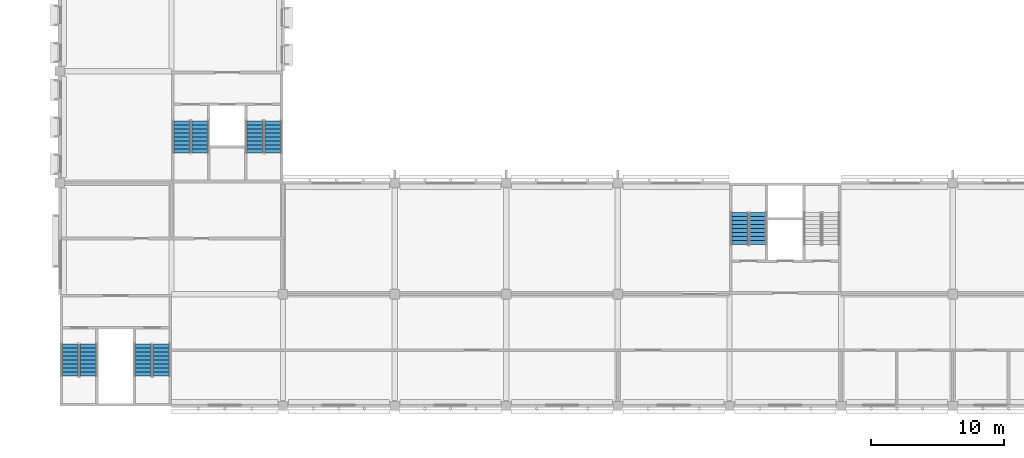
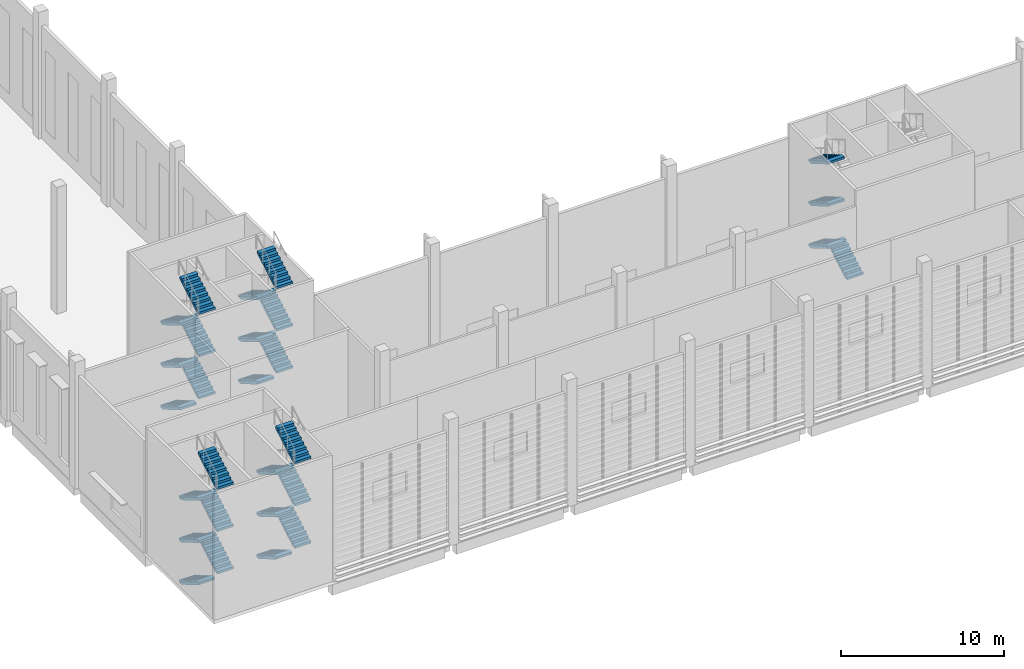
# One storey, part 53 of 114: 28 stair flights, 5 elements without a shape of their own.
"""IFC4 building model written with IfcOpenShell, lengths in metres."""

from ifc_helpers import new_model, si_unit, direction, frame, origin, place, context, subcontext, project, spatial, polyline, outline, extrude, material, type_object, element, aggregate, save


model = new_model("IFC4")

# Units and contexts
model_context = context("Model", 3, precision=1e-05, world=origin(), true_north=direction((0.0, 1.0)))
body_context = subcontext(model_context, "Body", "Model", "MODEL_VIEW")
ifc_project = project(units=[si_unit("LENGTHUNIT", "METRE"), si_unit("AREAUNIT", "SQUARE_METRE"), si_unit("VOLUMEUNIT", "CUBIC_METRE"), si_unit("PLANEANGLEUNIT", "RADIAN"), si_unit("MASSUNIT", "GRAM", prefix="KILO")], contexts=[model_context])

# Site, building, storey
site_placement = place(None, origin())
site = spatial("IfcSite", under=ifc_project, at=site_placement, CompositionType="ELEMENT")
building_placement = place(site_placement, origin())
building = spatial("IfcBuilding", under=site, at=building_placement, Name="Almond Square Museum", CompositionType="ELEMENT")
storey_placement = place(building_placement, frame((0.0, 0.0, 10.5)))
storey = spatial("IfcBuildingStorey", under=building, at=storey_placement, Name="L02", CompositionType="ELEMENT", Elevation=10.5)

# Stair, stair flights
ifc_material_1 = material(Name="Concrete C40/50", Category="concrete")
stair_type = type_object("IfcStairType", Name="Exit stair 54 risers of 176 mm", PredefinedType="HALF_TURN_STAIR", material=ifc_material_1)
stair_1_placement = place(storey_placement, origin())
stair_1 = element("IfcStair", 1, at=stair_1_placement, inside=storey, type_object=stair_type, Name="L02 stair W1-1", PredefinedType="HALF_TURN_STAIR")
ifc_material_2 = material(Name="Concrete C40/50", Category="concrete")
stair_flight_type = type_object("IfcStairFlightType", Name="Concrete flight", PredefinedType="STRAIGHT", material=ifc_material_2)
stair_flight_1_placement = place(storey_placement, frame((15.175048828125, 21.449951171875, 0.0), z_axis=(0.0, 0.0, 1.0), x_axis=(0.0, -1.0, 0.0)))
stair_flight_1 = element("IfcStairFlight", 2, at=stair_flight_1_placement, type_object=stair_flight_type, Name="ST-21 flight 1", NumberOfRisers=9, NumberOfTreads=8, PredefinedType="STRAIGHT", RiserHeight=0.175925926, TreadLength=0.3, context=body_context, shape_type="SweptSolid", body=[
    extrude(outline(polyline([(0.0, 0.0), (0.0, 0.176025390625), (0.300048828125, 0.176025390625), (0.300048828125, 0.351806640625), (0.60009765625, 0.351806640625), (0.60009765625, 0.52783203125), (0.89990234375, 0.52783203125), (0.89990234375, 0.70361328125), (1.199951171875, 0.70361328125), (1.199951171875, 0.879638671875), (1.5, 0.879638671875), (1.5, 1.0556640625), (1.800048828125, 1.0556640625), (1.800048828125, 1.2314453125), (2.10009765625, 1.2314453125), (2.10009765625, 1.407470703125), (2.39990234375, 1.407470703125), (2.39990234375, 1.583251953125), (2.39990234375, 1.233642578125), (0.29638671875, 0.0), (0.0, 0.0)])), frame((0.0, 0.574951171875, 0.0), z_axis=(0.0, -1.0, 0.0), x_axis=(1.0, 0.0, 0.0)), (0.0, 0.0, 1.0), 1.14990234375),
])
stair_flight_2_placement = place(storey_placement, frame((16.52490234375, 19.050048828125, 1.583251953125), z_axis=(0.0, 0.0, 1.0), x_axis=(0.0, 1.0, 0.0)))
stair_flight_2 = element("IfcStairFlight", 3, at=stair_flight_2_placement, type_object=stair_flight_type, Name="ST-21 flight 2", NumberOfRisers=9, NumberOfTreads=8, PredefinedType="STRAIGHT", RiserHeight=0.175925926, TreadLength=0.3, context=body_context, shape_type="SweptSolid", body=[
    extrude(outline(polyline([(0.0, 0.0), (0.0, 0.176025390625), (0.300048828125, 0.176025390625), (0.300048828125, 0.351806640625), (0.60009765625, 0.351806640625), (0.60009765625, 0.52783203125), (0.89990234375, 0.52783203125), (0.89990234375, 0.70361328125), (1.199951171875, 0.70361328125), (1.199951171875, 0.879638671875), (1.5, 0.879638671875), (1.5, 1.0556640625), (1.800048828125, 1.0556640625), (1.800048828125, 1.2314453125), (2.10009765625, 1.2314453125), (2.10009765625, 1.407470703125), (2.39990234375, 1.407470703125), (2.39990234375, 1.583251953125), (2.39990234375, 1.233642578125), (0.29638671875, 0.0), (0.0, 0.0)])), frame((0.0, 0.574951171875, 0.0), z_axis=(0.0, -1.0, 0.0), x_axis=(1.0, 0.0, 0.0)), (0.0, 0.0, 1.0), 1.14990234375),
])
stair_flight_3_placement = place(storey_placement, frame((15.175048828125, 21.449951171875, 3.166748046875), z_axis=(0.0, 0.0, 1.0), x_axis=(0.0, -1.0, 0.0)))
stair_flight_3 = element("IfcStairFlight", 4, at=stair_flight_3_placement, type_object=stair_flight_type, Name="ST-21 flight 3", NumberOfRisers=9, NumberOfTreads=8, PredefinedType="STRAIGHT", RiserHeight=0.175925926, TreadLength=0.3, context=body_context, shape_type="SweptSolid", body=[
    extrude(outline(polyline([(0.0, 0.0), (0.0, 0.176025390625), (0.300048828125, 0.176025390625), (0.300048828125, 0.351806640625), (0.60009765625, 0.351806640625), (0.60009765625, 0.52783203125), (0.89990234375, 0.52783203125), (0.89990234375, 0.70361328125), (1.199951171875, 0.70361328125), (1.199951171875, 0.879638671875), (1.5, 0.879638671875), (1.5, 1.0556640625), (1.800048828125, 1.0556640625), (1.800048828125, 1.2314453125), (2.10009765625, 1.2314453125), (2.10009765625, 1.407470703125), (2.39990234375, 1.407470703125), (2.39990234375, 1.583251953125), (2.39990234375, 1.233642578125), (0.29638671875, 0.0), (0.0, 0.0)])), frame((0.0, 0.574951171875, 0.0), z_axis=(0.0, -1.0, 0.0), x_axis=(1.0, 0.0, 0.0)), (0.0, 0.0, 1.0), 1.14990234375),
])
stair_flight_4_placement = place(storey_placement, frame((16.52490234375, 19.050048828125, 4.75), z_axis=(0.0, 0.0, 1.0), x_axis=(0.0, 1.0, 0.0)))
stair_flight_4 = element("IfcStairFlight", 5, at=stair_flight_4_placement, type_object=stair_flight_type, Name="ST-21 flight 4", NumberOfRisers=9, NumberOfTreads=8, PredefinedType="STRAIGHT", RiserHeight=0.175925926, TreadLength=0.3, context=body_context, shape_type="SweptSolid", body=[
    extrude(outline(polyline([(0.0, 0.0), (0.0, 0.176025390625), (0.300048828125, 0.176025390625), (0.300048828125, 0.351806640625), (0.60009765625, 0.351806640625), (0.60009765625, 0.52783203125), (0.89990234375, 0.52783203125), (0.89990234375, 0.70361328125), (1.199951171875, 0.70361328125), (1.199951171875, 0.879638671875), (1.5, 0.879638671875), (1.5, 1.0556640625), (1.800048828125, 1.0556640625), (1.800048828125, 1.2314453125), (2.10009765625, 1.2314453125), (2.10009765625, 1.407470703125), (2.39990234375, 1.407470703125), (2.39990234375, 1.583251953125), (2.39990234375, 1.233642578125), (0.29638671875, 0.0), (0.0, 0.0)])), frame((0.0, 0.574951171875, 0.0), z_axis=(0.0, -1.0, 0.0), x_axis=(1.0, 0.0, 0.0)), (0.0, 0.0, 1.0), 1.14990234375),
])
stair_flight_5_placement = place(storey_placement, frame((15.175048828125, 21.449951171875, 6.333251953125), z_axis=(0.0, 0.0, 1.0), x_axis=(0.0, -1.0, 0.0)))
stair_flight_5 = element("IfcStairFlight", 6, at=stair_flight_5_placement, type_object=stair_flight_type, Name="ST-21 flight 5", NumberOfRisers=9, NumberOfTreads=8, PredefinedType="STRAIGHT", RiserHeight=0.175925926, TreadLength=0.3, context=body_context, shape_type="SweptSolid", body=[
    extrude(outline(polyline([(0.0, 0.0), (0.0, 0.176025390625), (0.300048828125, 0.176025390625), (0.300048828125, 0.351806640625), (0.60009765625, 0.351806640625), (0.60009765625, 0.52783203125), (0.89990234375, 0.52783203125), (0.89990234375, 0.70361328125), (1.199951171875, 0.70361328125), (1.199951171875, 0.879638671875), (1.5, 0.879638671875), (1.5, 1.0556640625), (1.800048828125, 1.0556640625), (1.800048828125, 1.2314453125), (2.10009765625, 1.2314453125), (2.10009765625, 1.407470703125), (2.39990234375, 1.407470703125), (2.39990234375, 1.583251953125), (2.39990234375, 1.233642578125), (0.29638671875, 0.0), (0.0, 0.0)])), frame((0.0, 0.574951171875, 0.0), z_axis=(0.0, -1.0, 0.0), x_axis=(1.0, 0.0, 0.0)), (0.0, 0.0, 1.0), 1.14990234375),
])
stair_flight_6_placement = place(storey_placement, frame((16.52490234375, 19.050048828125, 7.916748046875), z_axis=(0.0, 0.0, 1.0), x_axis=(0.0, 1.0, 0.0)))
stair_flight_6 = element("IfcStairFlight", 7, at=stair_flight_6_placement, type_object=stair_flight_type, Name="ST-21 flight 6", NumberOfRisers=9, NumberOfTreads=8, PredefinedType="STRAIGHT", RiserHeight=0.175925926, TreadLength=0.3, context=body_context, shape_type="SweptSolid", body=[
    extrude(outline(polyline([(0.0, 0.0), (0.0, 0.176025390625), (0.300048828125, 0.176025390625), (0.300048828125, 0.351806640625), (0.60009765625, 0.351806640625), (0.60009765625, 0.52783203125), (0.89990234375, 0.52783203125), (0.89990234375, 0.70361328125), (1.199951171875, 0.70361328125), (1.199951171875, 0.879638671875), (1.5, 0.879638671875), (1.5, 1.0556640625), (1.800048828125, 1.0556640625), (1.800048828125, 1.2314453125), (2.10009765625, 1.2314453125), (2.10009765625, 1.407470703125), (2.39990234375, 1.407470703125), (2.39990234375, 1.583251953125), (2.39990234375, 1.233642578125), (0.29638671875, 0.0), (0.0, 0.0)])), frame((0.0, 0.574951171875, 0.0), z_axis=(0.0, -1.0, 0.0), x_axis=(1.0, 0.0, 0.0)), (0.0, 0.0, 1.0), 1.14990234375),
])
aggregate(stair_1, [stair_flight_1, stair_flight_2, stair_flight_3, stair_flight_4, stair_flight_5, stair_flight_6])

stair_2_placement = place(storey_placement, origin())
stair_2 = element("IfcStair", 8, at=stair_2_placement, inside=storey, type_object=stair_type, Name="L02 stair W1-2", PredefinedType="HALF_TURN_STAIR")
stair_flight_7_placement = place(storey_placement, frame((20.675048828125, 21.449951171875, 0.0), z_axis=(0.0, 0.0, 1.0), x_axis=(0.0, -1.0, 0.0)))
stair_flight_7 = element("IfcStairFlight", 9, at=stair_flight_7_placement, type_object=stair_flight_type, Name="ST-22 flight 1", NumberOfRisers=9, NumberOfTreads=8, PredefinedType="STRAIGHT", RiserHeight=0.175925926, TreadLength=0.3, context=body_context, shape_type="SweptSolid", body=[
    extrude(outline(polyline([(0.0, 0.0), (0.0, 0.176025390625), (0.300048828125, 0.176025390625), (0.300048828125, 0.351806640625), (0.60009765625, 0.351806640625), (0.60009765625, 0.52783203125), (0.89990234375, 0.52783203125), (0.89990234375, 0.70361328125), (1.199951171875, 0.70361328125), (1.199951171875, 0.879638671875), (1.5, 0.879638671875), (1.5, 1.0556640625), (1.800048828125, 1.0556640625), (1.800048828125, 1.2314453125), (2.10009765625, 1.2314453125), (2.10009765625, 1.407470703125), (2.39990234375, 1.407470703125), (2.39990234375, 1.583251953125), (2.39990234375, 1.233642578125), (0.29638671875, 0.0), (0.0, 0.0)])), frame((0.0, 0.574951171875, 0.0), z_axis=(0.0, -1.0, 0.0), x_axis=(1.0, 0.0, 0.0)), (0.0, 0.0, 1.0), 1.14990234375),
])
stair_flight_8_placement = place(storey_placement, frame((22.02490234375, 19.050048828125, 1.583251953125), z_axis=(0.0, 0.0, 1.0), x_axis=(0.0, 1.0, 0.0)))
stair_flight_8 = element("IfcStairFlight", 10, at=stair_flight_8_placement, type_object=stair_flight_type, Name="ST-22 flight 2", NumberOfRisers=9, NumberOfTreads=8, PredefinedType="STRAIGHT", RiserHeight=0.175925926, TreadLength=0.3, context=body_context, shape_type="SweptSolid", body=[
    extrude(outline(polyline([(0.0, 0.0), (0.0, 0.176025390625), (0.300048828125, 0.176025390625), (0.300048828125, 0.351806640625), (0.60009765625, 0.351806640625), (0.60009765625, 0.52783203125), (0.89990234375, 0.52783203125), (0.89990234375, 0.70361328125), (1.199951171875, 0.70361328125), (1.199951171875, 0.879638671875), (1.5, 0.879638671875), (1.5, 1.0556640625), (1.800048828125, 1.0556640625), (1.800048828125, 1.2314453125), (2.10009765625, 1.2314453125), (2.10009765625, 1.407470703125), (2.39990234375, 1.407470703125), (2.39990234375, 1.583251953125), (2.39990234375, 1.233642578125), (0.29638671875, 0.0), (0.0, 0.0)])), frame((0.0, 0.574951171875, 0.0), z_axis=(0.0, -1.0, 0.0), x_axis=(1.0, 0.0, 0.0)), (0.0, 0.0, 1.0), 1.14990234375),
])
stair_flight_9_placement = place(storey_placement, frame((20.675048828125, 21.449951171875, 3.166748046875), z_axis=(0.0, 0.0, 1.0), x_axis=(0.0, -1.0, 0.0)))
stair_flight_9 = element("IfcStairFlight", 11, at=stair_flight_9_placement, type_object=stair_flight_type, Name="ST-22 flight 3", NumberOfRisers=9, NumberOfTreads=8, PredefinedType="STRAIGHT", RiserHeight=0.175925926, TreadLength=0.3, context=body_context, shape_type="SweptSolid", body=[
    extrude(outline(polyline([(0.0, 0.0), (0.0, 0.176025390625), (0.300048828125, 0.176025390625), (0.300048828125, 0.351806640625), (0.60009765625, 0.351806640625), (0.60009765625, 0.52783203125), (0.89990234375, 0.52783203125), (0.89990234375, 0.70361328125), (1.199951171875, 0.70361328125), (1.199951171875, 0.879638671875), (1.5, 0.879638671875), (1.5, 1.0556640625), (1.800048828125, 1.0556640625), (1.800048828125, 1.2314453125), (2.10009765625, 1.2314453125), (2.10009765625, 1.407470703125), (2.39990234375, 1.407470703125), (2.39990234375, 1.583251953125), (2.39990234375, 1.233642578125), (0.29638671875, 0.0), (0.0, 0.0)])), frame((0.0, 0.574951171875, 0.0), z_axis=(0.0, -1.0, 0.0), x_axis=(1.0, 0.0, 0.0)), (0.0, 0.0, 1.0), 1.14990234375),
])
stair_flight_10_placement = place(storey_placement, frame((22.02490234375, 19.050048828125, 4.75), z_axis=(0.0, 0.0, 1.0), x_axis=(0.0, 1.0, 0.0)))
stair_flight_10 = element("IfcStairFlight", 12, at=stair_flight_10_placement, type_object=stair_flight_type, Name="ST-22 flight 4", NumberOfRisers=9, NumberOfTreads=8, PredefinedType="STRAIGHT", RiserHeight=0.175925926, TreadLength=0.3, context=body_context, shape_type="SweptSolid", body=[
    extrude(outline(polyline([(0.0, 0.0), (0.0, 0.176025390625), (0.300048828125, 0.176025390625), (0.300048828125, 0.351806640625), (0.60009765625, 0.351806640625), (0.60009765625, 0.52783203125), (0.89990234375, 0.52783203125), (0.89990234375, 0.70361328125), (1.199951171875, 0.70361328125), (1.199951171875, 0.879638671875), (1.5, 0.879638671875), (1.5, 1.0556640625), (1.800048828125, 1.0556640625), (1.800048828125, 1.2314453125), (2.10009765625, 1.2314453125), (2.10009765625, 1.407470703125), (2.39990234375, 1.407470703125), (2.39990234375, 1.583251953125), (2.39990234375, 1.233642578125), (0.29638671875, 0.0), (0.0, 0.0)])), frame((0.0, 0.574951171875, 0.0), z_axis=(0.0, -1.0, 0.0), x_axis=(1.0, 0.0, 0.0)), (0.0, 0.0, 1.0), 1.14990234375),
])
stair_flight_11_placement = place(storey_placement, frame((20.675048828125, 21.449951171875, 6.333251953125), z_axis=(0.0, 0.0, 1.0), x_axis=(0.0, -1.0, 0.0)))
stair_flight_11 = element("IfcStairFlight", 13, at=stair_flight_11_placement, type_object=stair_flight_type, Name="ST-22 flight 5", NumberOfRisers=9, NumberOfTreads=8, PredefinedType="STRAIGHT", RiserHeight=0.175925926, TreadLength=0.3, context=body_context, shape_type="SweptSolid", body=[
    extrude(outline(polyline([(0.0, 0.0), (0.0, 0.176025390625), (0.300048828125, 0.176025390625), (0.300048828125, 0.351806640625), (0.60009765625, 0.351806640625), (0.60009765625, 0.52783203125), (0.89990234375, 0.52783203125), (0.89990234375, 0.70361328125), (1.199951171875, 0.70361328125), (1.199951171875, 0.879638671875), (1.5, 0.879638671875), (1.5, 1.0556640625), (1.800048828125, 1.0556640625), (1.800048828125, 1.2314453125), (2.10009765625, 1.2314453125), (2.10009765625, 1.407470703125), (2.39990234375, 1.407470703125), (2.39990234375, 1.583251953125), (2.39990234375, 1.233642578125), (0.29638671875, 0.0), (0.0, 0.0)])), frame((0.0, 0.574951171875, 0.0), z_axis=(0.0, -1.0, 0.0), x_axis=(1.0, 0.0, 0.0)), (0.0, 0.0, 1.0), 1.14990234375),
])
stair_flight_12_placement = place(storey_placement, frame((22.02490234375, 19.050048828125, 7.916748046875), z_axis=(0.0, 0.0, 1.0), x_axis=(0.0, 1.0, 0.0)))
stair_flight_12 = element("IfcStairFlight", 14, at=stair_flight_12_placement, type_object=stair_flight_type, Name="ST-22 flight 6", NumberOfRisers=9, NumberOfTreads=8, PredefinedType="STRAIGHT", RiserHeight=0.175925926, TreadLength=0.3, context=body_context, shape_type="SweptSolid", body=[
    extrude(outline(polyline([(0.0, 0.0), (0.0, 0.176025390625), (0.300048828125, 0.176025390625), (0.300048828125, 0.351806640625), (0.60009765625, 0.351806640625), (0.60009765625, 0.52783203125), (0.89990234375, 0.52783203125), (0.89990234375, 0.70361328125), (1.199951171875, 0.70361328125), (1.199951171875, 0.879638671875), (1.5, 0.879638671875), (1.5, 1.0556640625), (1.800048828125, 1.0556640625), (1.800048828125, 1.2314453125), (2.10009765625, 1.2314453125), (2.10009765625, 1.407470703125), (2.39990234375, 1.407470703125), (2.39990234375, 1.583251953125), (2.39990234375, 1.233642578125), (0.29638671875, 0.0), (0.0, 0.0)])), frame((0.0, 0.574951171875, 0.0), z_axis=(0.0, -1.0, 0.0), x_axis=(1.0, 0.0, 0.0)), (0.0, 0.0, 1.0), 1.14990234375),
])
aggregate(stair_2, [stair_flight_7, stair_flight_8, stair_flight_9, stair_flight_10, stair_flight_11, stair_flight_12])

stair_3_placement = place(storey_placement, origin())
stair_3 = element("IfcStair", 15, at=stair_3_placement, inside=storey, type_object=stair_type, Name="L02 stair S1-1", PredefinedType="HALF_TURN_STAIR")
stair_flight_13_placement = place(storey_placement, frame((6.77490234375, 4.64990234375, 0.0), z_axis=(0.0, 0.0, 1.0), x_axis=(0.0, -1.0, 0.0)))
stair_flight_13 = element("IfcStairFlight", 16, at=stair_flight_13_placement, type_object=stair_flight_type, Name="ST-27 flight 1", NumberOfRisers=9, NumberOfTreads=8, PredefinedType="STRAIGHT", RiserHeight=0.175925926, TreadLength=0.3, context=body_context, shape_type="SweptSolid", body=[
    extrude(outline(polyline([(0.0, 0.0), (0.0, 0.176025390625), (0.300048828125, 0.176025390625), (0.300048828125, 0.351806640625), (0.60009765625, 0.351806640625), (0.60009765625, 0.52783203125), (0.89990234375, 0.52783203125), (0.89990234375, 0.70361328125), (1.199951171875, 0.70361328125), (1.199951171875, 0.879638671875), (1.5, 0.879638671875), (1.5, 1.0556640625), (1.800048828125, 1.0556640625), (1.800048828125, 1.2314453125), (2.10009765625, 1.2314453125), (2.10009765625, 1.407470703125), (2.39990234375, 1.407470703125), (2.39990234375, 1.583251953125), (2.39990234375, 1.233642578125), (0.29638671875, 0.0), (0.0, 0.0)])), frame((0.0, 0.574951171875, 0.0), z_axis=(0.0, -1.0, 0.0), x_axis=(1.0, 0.0, 0.0)), (0.0, 0.0, 1.0), 1.14990234375),
])
stair_flight_14_placement = place(storey_placement, frame((8.125, 2.25, 1.583251953125), z_axis=(0.0, 0.0, 1.0), x_axis=(0.0, 1.0, 0.0)))
stair_flight_14 = element("IfcStairFlight", 17, at=stair_flight_14_placement, type_object=stair_flight_type, Name="ST-27 flight 2", NumberOfRisers=9, NumberOfTreads=8, PredefinedType="STRAIGHT", RiserHeight=0.175925926, TreadLength=0.3, context=body_context, shape_type="SweptSolid", body=[
    extrude(outline(polyline([(0.0, 0.0), (0.0, 0.176025390625), (0.300048828125, 0.176025390625), (0.300048828125, 0.351806640625), (0.60009765625, 0.351806640625), (0.60009765625, 0.52783203125), (0.89990234375, 0.52783203125), (0.89990234375, 0.70361328125), (1.199951171875, 0.70361328125), (1.199951171875, 0.879638671875), (1.5, 0.879638671875), (1.5, 1.0556640625), (1.800048828125, 1.0556640625), (1.800048828125, 1.2314453125), (2.10009765625, 1.2314453125), (2.10009765625, 1.407470703125), (2.39990234375, 1.407470703125), (2.39990234375, 1.583251953125), (2.39990234375, 1.233642578125), (0.29638671875, 0.0), (0.0, 0.0)])), frame((0.0, 0.574951171875, 0.0), z_axis=(0.0, -1.0, 0.0), x_axis=(1.0, 0.0, 0.0)), (0.0, 0.0, 1.0), 1.14990234375),
])
stair_flight_15_placement = place(storey_placement, frame((6.77490234375, 4.64990234375, 3.166748046875), z_axis=(0.0, 0.0, 1.0), x_axis=(0.0, -1.0, 0.0)))
stair_flight_15 = element("IfcStairFlight", 18, at=stair_flight_15_placement, type_object=stair_flight_type, Name="ST-27 flight 3", NumberOfRisers=9, NumberOfTreads=8, PredefinedType="STRAIGHT", RiserHeight=0.175925926, TreadLength=0.3, context=body_context, shape_type="SweptSolid", body=[
    extrude(outline(polyline([(0.0, 0.0), (0.0, 0.176025390625), (0.300048828125, 0.176025390625), (0.300048828125, 0.351806640625), (0.60009765625, 0.351806640625), (0.60009765625, 0.52783203125), (0.89990234375, 0.52783203125), (0.89990234375, 0.70361328125), (1.199951171875, 0.70361328125), (1.199951171875, 0.879638671875), (1.5, 0.879638671875), (1.5, 1.0556640625), (1.800048828125, 1.0556640625), (1.800048828125, 1.2314453125), (2.10009765625, 1.2314453125), (2.10009765625, 1.407470703125), (2.39990234375, 1.407470703125), (2.39990234375, 1.583251953125), (2.39990234375, 1.233642578125), (0.29638671875, 0.0), (0.0, 0.0)])), frame((0.0, 0.574951171875, 0.0), z_axis=(0.0, -1.0, 0.0), x_axis=(1.0, 0.0, 0.0)), (0.0, 0.0, 1.0), 1.14990234375),
])
stair_flight_16_placement = place(storey_placement, frame((8.125, 2.25, 4.75), z_axis=(0.0, 0.0, 1.0), x_axis=(0.0, 1.0, 0.0)))
stair_flight_16 = element("IfcStairFlight", 19, at=stair_flight_16_placement, type_object=stair_flight_type, Name="ST-27 flight 4", NumberOfRisers=9, NumberOfTreads=8, PredefinedType="STRAIGHT", RiserHeight=0.175925926, TreadLength=0.3, context=body_context, shape_type="SweptSolid", body=[
    extrude(outline(polyline([(0.0, 0.0), (0.0, 0.176025390625), (0.300048828125, 0.176025390625), (0.300048828125, 0.351806640625), (0.60009765625, 0.351806640625), (0.60009765625, 0.52783203125), (0.89990234375, 0.52783203125), (0.89990234375, 0.70361328125), (1.199951171875, 0.70361328125), (1.199951171875, 0.879638671875), (1.5, 0.879638671875), (1.5, 1.0556640625), (1.800048828125, 1.0556640625), (1.800048828125, 1.2314453125), (2.10009765625, 1.2314453125), (2.10009765625, 1.407470703125), (2.39990234375, 1.407470703125), (2.39990234375, 1.583251953125), (2.39990234375, 1.233642578125), (0.29638671875, 0.0), (0.0, 0.0)])), frame((0.0, 0.574951171875, 0.0), z_axis=(0.0, -1.0, 0.0), x_axis=(1.0, 0.0, 0.0)), (0.0, 0.0, 1.0), 1.14990234375),
])
stair_flight_17_placement = place(storey_placement, frame((6.77490234375, 4.64990234375, 6.333251953125), z_axis=(0.0, 0.0, 1.0), x_axis=(0.0, -1.0, 0.0)))
stair_flight_17 = element("IfcStairFlight", 20, at=stair_flight_17_placement, type_object=stair_flight_type, Name="ST-27 flight 5", NumberOfRisers=9, NumberOfTreads=8, PredefinedType="STRAIGHT", RiserHeight=0.175925926, TreadLength=0.3, context=body_context, shape_type="SweptSolid", body=[
    extrude(outline(polyline([(0.0, 0.0), (0.0, 0.176025390625), (0.300048828125, 0.176025390625), (0.300048828125, 0.351806640625), (0.60009765625, 0.351806640625), (0.60009765625, 0.52783203125), (0.89990234375, 0.52783203125), (0.89990234375, 0.70361328125), (1.199951171875, 0.70361328125), (1.199951171875, 0.879638671875), (1.5, 0.879638671875), (1.5, 1.0556640625), (1.800048828125, 1.0556640625), (1.800048828125, 1.2314453125), (2.10009765625, 1.2314453125), (2.10009765625, 1.407470703125), (2.39990234375, 1.407470703125), (2.39990234375, 1.583251953125), (2.39990234375, 1.233642578125), (0.29638671875, 0.0), (0.0, 0.0)])), frame((0.0, 0.574951171875, 0.0), z_axis=(0.0, -1.0, 0.0), x_axis=(1.0, 0.0, 0.0)), (0.0, 0.0, 1.0), 1.14990234375),
])
stair_flight_18_placement = place(storey_placement, frame((8.125, 2.25, 7.916748046875), z_axis=(0.0, 0.0, 1.0), x_axis=(0.0, 1.0, 0.0)))
stair_flight_18 = element("IfcStairFlight", 21, at=stair_flight_18_placement, type_object=stair_flight_type, Name="ST-27 flight 6", NumberOfRisers=9, NumberOfTreads=8, PredefinedType="STRAIGHT", RiserHeight=0.175925926, TreadLength=0.3, context=body_context, shape_type="SweptSolid", body=[
    extrude(outline(polyline([(0.0, 0.0), (0.0, 0.176025390625), (0.300048828125, 0.176025390625), (0.300048828125, 0.351806640625), (0.60009765625, 0.351806640625), (0.60009765625, 0.52783203125), (0.89990234375, 0.52783203125), (0.89990234375, 0.70361328125), (1.199951171875, 0.70361328125), (1.199951171875, 0.879638671875), (1.5, 0.879638671875), (1.5, 1.0556640625), (1.800048828125, 1.0556640625), (1.800048828125, 1.2314453125), (2.10009765625, 1.2314453125), (2.10009765625, 1.407470703125), (2.39990234375, 1.407470703125), (2.39990234375, 1.583251953125), (2.39990234375, 1.233642578125), (0.29638671875, 0.0), (0.0, 0.0)])), frame((0.0, 0.574951171875, 0.0), z_axis=(0.0, -1.0, 0.0), x_axis=(1.0, 0.0, 0.0)), (0.0, 0.0, 1.0), 1.14990234375),
])
aggregate(stair_3, [stair_flight_13, stair_flight_14, stair_flight_15, stair_flight_16, stair_flight_17, stair_flight_18])

stair_4_placement = place(storey_placement, origin())
stair_4 = element("IfcStair", 22, at=stair_4_placement, inside=storey, type_object=stair_type, Name="L02 stair S1-2", PredefinedType="HALF_TURN_STAIR")
stair_flight_19_placement = place(storey_placement, frame((12.27490234375, 4.64990234375, 0.0), z_axis=(0.0, 0.0, 1.0), x_axis=(0.0, -1.0, 0.0)))
stair_flight_19 = element("IfcStairFlight", 23, at=stair_flight_19_placement, type_object=stair_flight_type, Name="ST-28 flight 1", NumberOfRisers=9, NumberOfTreads=8, PredefinedType="STRAIGHT", RiserHeight=0.175925926, TreadLength=0.3, context=body_context, shape_type="SweptSolid", body=[
    extrude(outline(polyline([(0.0, 0.0), (0.0, 0.176025390625), (0.300048828125, 0.176025390625), (0.300048828125, 0.351806640625), (0.60009765625, 0.351806640625), (0.60009765625, 0.52783203125), (0.89990234375, 0.52783203125), (0.89990234375, 0.70361328125), (1.199951171875, 0.70361328125), (1.199951171875, 0.879638671875), (1.5, 0.879638671875), (1.5, 1.0556640625), (1.800048828125, 1.0556640625), (1.800048828125, 1.2314453125), (2.10009765625, 1.2314453125), (2.10009765625, 1.407470703125), (2.39990234375, 1.407470703125), (2.39990234375, 1.583251953125), (2.39990234375, 1.233642578125), (0.29638671875, 0.0), (0.0, 0.0)])), frame((0.0, 0.574951171875, 0.0), z_axis=(0.0, -1.0, 0.0), x_axis=(1.0, 0.0, 0.0)), (0.0, 0.0, 1.0), 1.14990234375),
])
stair_flight_20_placement = place(storey_placement, frame((13.625, 2.25, 1.583251953125), z_axis=(0.0, 0.0, 1.0), x_axis=(0.0, 1.0, 0.0)))
stair_flight_20 = element("IfcStairFlight", 24, at=stair_flight_20_placement, type_object=stair_flight_type, Name="ST-28 flight 2", NumberOfRisers=9, NumberOfTreads=8, PredefinedType="STRAIGHT", RiserHeight=0.175925926, TreadLength=0.3, context=body_context, shape_type="SweptSolid", body=[
    extrude(outline(polyline([(0.0, 0.0), (0.0, 0.176025390625), (0.300048828125, 0.176025390625), (0.300048828125, 0.351806640625), (0.60009765625, 0.351806640625), (0.60009765625, 0.52783203125), (0.89990234375, 0.52783203125), (0.89990234375, 0.70361328125), (1.199951171875, 0.70361328125), (1.199951171875, 0.879638671875), (1.5, 0.879638671875), (1.5, 1.0556640625), (1.800048828125, 1.0556640625), (1.800048828125, 1.2314453125), (2.10009765625, 1.2314453125), (2.10009765625, 1.407470703125), (2.39990234375, 1.407470703125), (2.39990234375, 1.583251953125), (2.39990234375, 1.233642578125), (0.29638671875, 0.0), (0.0, 0.0)])), frame((0.0, 0.574951171875, 0.0), z_axis=(0.0, -1.0, 0.0), x_axis=(1.0, 0.0, 0.0)), (0.0, 0.0, 1.0), 1.14990234375),
])
stair_flight_21_placement = place(storey_placement, frame((12.27490234375, 4.64990234375, 3.166748046875), z_axis=(0.0, 0.0, 1.0), x_axis=(0.0, -1.0, 0.0)))
stair_flight_21 = element("IfcStairFlight", 25, at=stair_flight_21_placement, type_object=stair_flight_type, Name="ST-28 flight 3", NumberOfRisers=9, NumberOfTreads=8, PredefinedType="STRAIGHT", RiserHeight=0.175925926, TreadLength=0.3, context=body_context, shape_type="SweptSolid", body=[
    extrude(outline(polyline([(0.0, 0.0), (0.0, 0.176025390625), (0.300048828125, 0.176025390625), (0.300048828125, 0.351806640625), (0.60009765625, 0.351806640625), (0.60009765625, 0.52783203125), (0.89990234375, 0.52783203125), (0.89990234375, 0.70361328125), (1.199951171875, 0.70361328125), (1.199951171875, 0.879638671875), (1.5, 0.879638671875), (1.5, 1.0556640625), (1.800048828125, 1.0556640625), (1.800048828125, 1.2314453125), (2.10009765625, 1.2314453125), (2.10009765625, 1.407470703125), (2.39990234375, 1.407470703125), (2.39990234375, 1.583251953125), (2.39990234375, 1.233642578125), (0.29638671875, 0.0), (0.0, 0.0)])), frame((0.0, 0.574951171875, 0.0), z_axis=(0.0, -1.0, 0.0), x_axis=(1.0, 0.0, 0.0)), (0.0, 0.0, 1.0), 1.14990234375),
])
stair_flight_22_placement = place(storey_placement, frame((13.625, 2.25, 4.75), z_axis=(0.0, 0.0, 1.0), x_axis=(0.0, 1.0, 0.0)))
stair_flight_22 = element("IfcStairFlight", 26, at=stair_flight_22_placement, type_object=stair_flight_type, Name="ST-28 flight 4", NumberOfRisers=9, NumberOfTreads=8, PredefinedType="STRAIGHT", RiserHeight=0.175925926, TreadLength=0.3, context=body_context, shape_type="SweptSolid", body=[
    extrude(outline(polyline([(0.0, 0.0), (0.0, 0.176025390625), (0.300048828125, 0.176025390625), (0.300048828125, 0.351806640625), (0.60009765625, 0.351806640625), (0.60009765625, 0.52783203125), (0.89990234375, 0.52783203125), (0.89990234375, 0.70361328125), (1.199951171875, 0.70361328125), (1.199951171875, 0.879638671875), (1.5, 0.879638671875), (1.5, 1.0556640625), (1.800048828125, 1.0556640625), (1.800048828125, 1.2314453125), (2.10009765625, 1.2314453125), (2.10009765625, 1.407470703125), (2.39990234375, 1.407470703125), (2.39990234375, 1.583251953125), (2.39990234375, 1.233642578125), (0.29638671875, 0.0), (0.0, 0.0)])), frame((0.0, 0.574951171875, 0.0), z_axis=(0.0, -1.0, 0.0), x_axis=(1.0, 0.0, 0.0)), (0.0, 0.0, 1.0), 1.14990234375),
])
stair_flight_23_placement = place(storey_placement, frame((12.27490234375, 4.64990234375, 6.333251953125), z_axis=(0.0, 0.0, 1.0), x_axis=(0.0, -1.0, 0.0)))
stair_flight_23 = element("IfcStairFlight", 27, at=stair_flight_23_placement, type_object=stair_flight_type, Name="ST-28 flight 5", NumberOfRisers=9, NumberOfTreads=8, PredefinedType="STRAIGHT", RiserHeight=0.175925926, TreadLength=0.3, context=body_context, shape_type="SweptSolid", body=[
    extrude(outline(polyline([(0.0, 0.0), (0.0, 0.176025390625), (0.300048828125, 0.176025390625), (0.300048828125, 0.351806640625), (0.60009765625, 0.351806640625), (0.60009765625, 0.52783203125), (0.89990234375, 0.52783203125), (0.89990234375, 0.70361328125), (1.199951171875, 0.70361328125), (1.199951171875, 0.879638671875), (1.5, 0.879638671875), (1.5, 1.0556640625), (1.800048828125, 1.0556640625), (1.800048828125, 1.2314453125), (2.10009765625, 1.2314453125), (2.10009765625, 1.407470703125), (2.39990234375, 1.407470703125), (2.39990234375, 1.583251953125), (2.39990234375, 1.233642578125), (0.29638671875, 0.0), (0.0, 0.0)])), frame((0.0, 0.574951171875, 0.0), z_axis=(0.0, -1.0, 0.0), x_axis=(1.0, 0.0, 0.0)), (0.0, 0.0, 1.0), 1.14990234375),
])
stair_flight_24_placement = place(storey_placement, frame((13.625, 2.25, 7.916748046875), z_axis=(0.0, 0.0, 1.0), x_axis=(0.0, 1.0, 0.0)))
stair_flight_24 = element("IfcStairFlight", 28, at=stair_flight_24_placement, type_object=stair_flight_type, Name="ST-28 flight 6", NumberOfRisers=9, NumberOfTreads=8, PredefinedType="STRAIGHT", RiserHeight=0.175925926, TreadLength=0.3, context=body_context, shape_type="SweptSolid", body=[
    extrude(outline(polyline([(0.0, 0.0), (0.0, 0.176025390625), (0.300048828125, 0.176025390625), (0.300048828125, 0.351806640625), (0.60009765625, 0.351806640625), (0.60009765625, 0.52783203125), (0.89990234375, 0.52783203125), (0.89990234375, 0.70361328125), (1.199951171875, 0.70361328125), (1.199951171875, 0.879638671875), (1.5, 0.879638671875), (1.5, 1.0556640625), (1.800048828125, 1.0556640625), (1.800048828125, 1.2314453125), (2.10009765625, 1.2314453125), (2.10009765625, 1.407470703125), (2.39990234375, 1.407470703125), (2.39990234375, 1.583251953125), (2.39990234375, 1.233642578125), (0.29638671875, 0.0), (0.0, 0.0)])), frame((0.0, 0.574951171875, 0.0), z_axis=(0.0, -1.0, 0.0), x_axis=(1.0, 0.0, 0.0)), (0.0, 0.0, 1.0), 1.14990234375),
])
aggregate(stair_4, [stair_flight_19, stair_flight_20, stair_flight_21, stair_flight_22, stair_flight_23, stair_flight_24])

stair_5_placement = place(storey_placement, origin())
stair_5 = element("IfcStair", 29, at=stair_5_placement, inside=storey, type_object=stair_type, Name="L02 stair S2-1", PredefinedType="HALF_TURN_STAIR")
stair_flight_25_placement = place(storey_placement, frame((58.52490234375, 12.14990234375, 0.0), z_axis=(0.0, 0.0, 1.0), x_axis=(0.0, 1.0, 0.0)))
stair_flight_25 = element("IfcStairFlight", 30, at=stair_flight_25_placement, type_object=stair_flight_type, Name="ST-29 flight 1", NumberOfRisers=9, NumberOfTreads=8, PredefinedType="STRAIGHT", RiserHeight=0.175925926, TreadLength=0.3, context=body_context, shape_type="SweptSolid", body=[
    extrude(outline(polyline([(0.0, 0.0), (0.0, 0.176025390625), (0.300048828125, 0.176025390625), (0.300048828125, 0.351806640625), (0.60009765625, 0.351806640625), (0.60009765625, 0.52783203125), (0.89990234375, 0.52783203125), (0.89990234375, 0.70361328125), (1.199951171875, 0.70361328125), (1.199951171875, 0.879638671875), (1.5, 0.879638671875), (1.5, 1.0556640625), (1.800048828125, 1.0556640625), (1.800048828125, 1.2314453125), (2.10009765625, 1.2314453125), (2.10009765625, 1.407470703125), (2.39990234375, 1.407470703125), (2.39990234375, 1.583251953125), (2.39990234375, 1.233642578125), (0.29638671875, 0.0), (0.0, 0.0)])), frame((0.0, 0.574951171875, 0.0), z_axis=(0.0, -1.0, 0.0), x_axis=(1.0, 0.0, 0.0)), (0.0, 0.0, 1.0), 1.14990234375),
])
stair_flight_26_placement = place(storey_placement, frame((57.175048828125, 14.550048828125, 1.583251953125), z_axis=(0.0, 0.0, 1.0), x_axis=(0.0, -1.0, 0.0)))
stair_flight_26 = element("IfcStairFlight", 31, at=stair_flight_26_placement, type_object=stair_flight_type, Name="ST-29 flight 2", NumberOfRisers=9, NumberOfTreads=8, PredefinedType="STRAIGHT", RiserHeight=0.175925926, TreadLength=0.3, context=body_context, shape_type="SweptSolid", body=[
    extrude(outline(polyline([(0.0, 0.0), (0.0, 0.176025390625), (0.300048828125, 0.176025390625), (0.300048828125, 0.351806640625), (0.60009765625, 0.351806640625), (0.60009765625, 0.52783203125), (0.89990234375, 0.52783203125), (0.89990234375, 0.70361328125), (1.199951171875, 0.70361328125), (1.199951171875, 0.879638671875), (1.5, 0.879638671875), (1.5, 1.0556640625), (1.800048828125, 1.0556640625), (1.800048828125, 1.2314453125), (2.10009765625, 1.2314453125), (2.10009765625, 1.407470703125), (2.39990234375, 1.407470703125), (2.39990234375, 1.583251953125), (2.39990234375, 1.233642578125), (0.29638671875, 0.0), (0.0, 0.0)])), frame((0.0, 0.574951171875, 0.0), z_axis=(0.0, -1.0, 0.0), x_axis=(1.0, 0.0, 0.0)), (0.0, 0.0, 1.0), 1.14990234375),
])
stair_flight_27_placement = place(storey_placement, frame((57.175048828125, 14.550048828125, 4.75), z_axis=(0.0, 0.0, 1.0), x_axis=(0.0, -1.0, 0.0)))
stair_flight_27 = element("IfcStairFlight", 32, at=stair_flight_27_placement, type_object=stair_flight_type, Name="ST-29 flight 4", NumberOfRisers=9, NumberOfTreads=8, PredefinedType="STRAIGHT", RiserHeight=0.175925926, TreadLength=0.3, context=body_context, shape_type="SweptSolid", body=[
    extrude(outline(polyline([(0.0, 0.0), (0.0, 0.176025390625), (0.300048828125, 0.176025390625), (0.300048828125, 0.351806640625), (0.60009765625, 0.351806640625), (0.60009765625, 0.52783203125), (0.89990234375, 0.52783203125), (0.89990234375, 0.70361328125), (1.199951171875, 0.70361328125), (1.199951171875, 0.879638671875), (1.5, 0.879638671875), (1.5, 1.0556640625), (1.800048828125, 1.0556640625), (1.800048828125, 1.2314453125), (2.10009765625, 1.2314453125), (2.10009765625, 1.407470703125), (2.39990234375, 1.407470703125), (2.39990234375, 1.583251953125), (2.39990234375, 1.233642578125), (0.29638671875, 0.0), (0.0, 0.0)])), frame((0.0, 0.574951171875, 0.0), z_axis=(0.0, -1.0, 0.0), x_axis=(1.0, 0.0, 0.0)), (0.0, 0.0, 1.0), 1.14990234375),
])
stair_flight_28_placement = place(storey_placement, frame((57.175048828125, 14.550048828125, 7.916748046875), z_axis=(0.0, 0.0, 1.0), x_axis=(0.0, -1.0, 0.0)))
stair_flight_28 = element("IfcStairFlight", 33, at=stair_flight_28_placement, type_object=stair_flight_type, Name="ST-29 flight 6", NumberOfRisers=9, NumberOfTreads=8, PredefinedType="STRAIGHT", RiserHeight=0.175925926, TreadLength=0.3, context=body_context, shape_type="SweptSolid", body=[
    extrude(outline(polyline([(0.0, 0.0), (0.0, 0.176025390625), (0.300048828125, 0.176025390625), (0.300048828125, 0.351806640625), (0.60009765625, 0.351806640625), (0.60009765625, 0.52783203125), (0.89990234375, 0.52783203125), (0.89990234375, 0.70361328125), (1.199951171875, 0.70361328125), (1.199951171875, 0.879638671875), (1.5, 0.879638671875), (1.5, 1.0556640625), (1.800048828125, 1.0556640625), (1.800048828125, 1.2314453125), (2.10009765625, 1.2314453125), (2.10009765625, 1.407470703125), (2.39990234375, 1.407470703125), (2.39990234375, 1.583251953125), (2.39990234375, 1.233642578125), (0.29638671875, 0.0), (0.0, 0.0)])), frame((0.0, 0.574951171875, 0.0), z_axis=(0.0, -1.0, 0.0), x_axis=(1.0, 0.0, 0.0)), (0.0, 0.0, 1.0), 1.14990234375),
])
aggregate(stair_5, [stair_flight_25, stair_flight_26, stair_flight_27, stair_flight_28])

save(model, "model.ifc")
